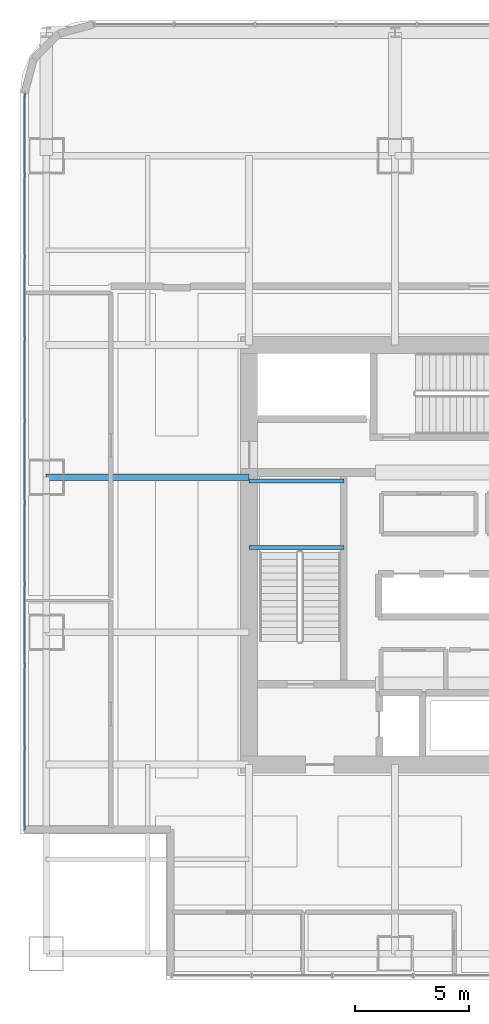
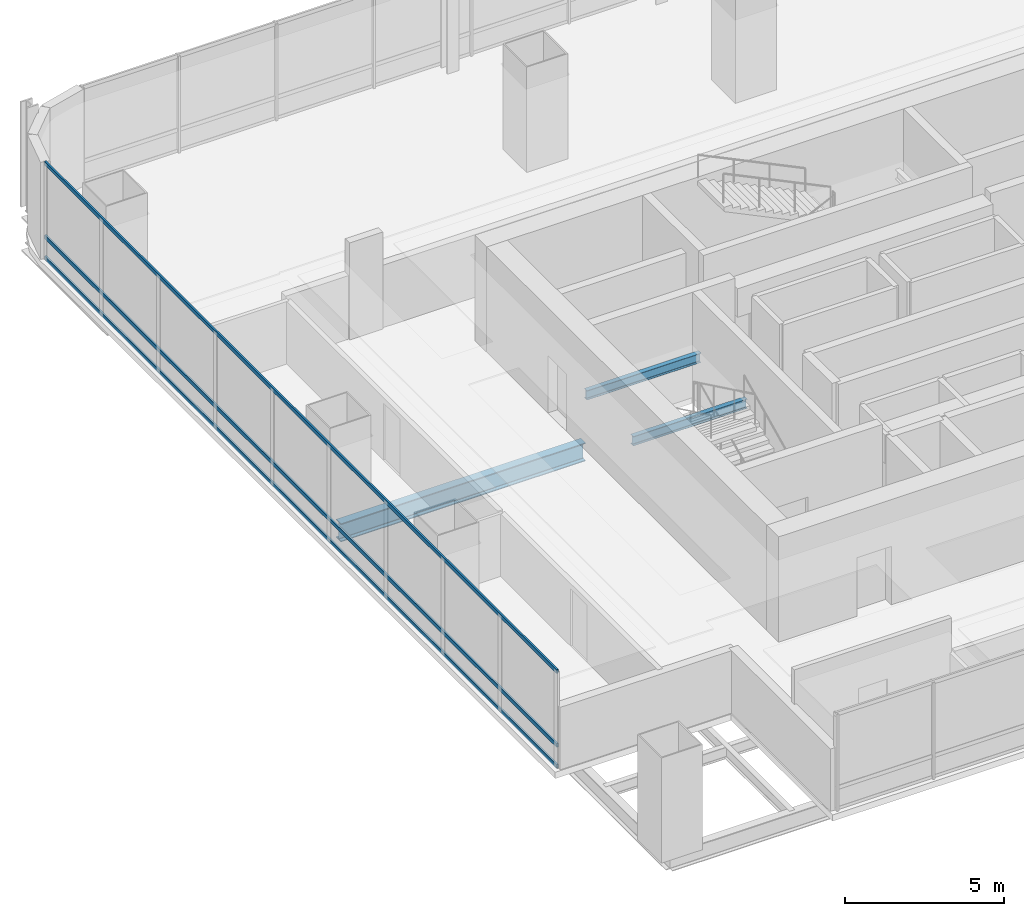
# One storey, part 10 of 33: 3 beams, 3 members, 1 element without a shape of its own.
"""IFC4 building model written with IfcOpenShell, lengths in metres."""

from ifc_helpers import new_model, si_unit, direction, frame, origin, origin_2d, place, context, subcontext, project, spatial, hollow_rectangle, i_section, extrude, material, material_profile, profile_set, type_object, element, aggregate, save


model = new_model("IFC4")

# Units and contexts
model_context = context("Model", 3, precision=1e-05, world=origin(), true_north=direction((0.0, 1.0)))
body_context = subcontext(model_context, "Body", "Model", "MODEL_VIEW")
ifc_project = project(units=[si_unit("LENGTHUNIT", "METRE"), si_unit("AREAUNIT", "SQUARE_METRE"), si_unit("VOLUMEUNIT", "CUBIC_METRE"), si_unit("PLANEANGLEUNIT", "RADIAN"), si_unit("MASSUNIT", "GRAM", prefix="KILO")], contexts=[model_context])

# Site, building, storey
site_placement = place(None, origin())
site = spatial("IfcSite", under=ifc_project, at=site_placement, CompositionType="ELEMENT")
building_placement = place(site_placement, origin())
building = spatial("IfcBuilding", under=site, at=building_placement, Name="Punatoya Terracotta Tower", CompositionType="ELEMENT")
storey_placement = place(building_placement, frame((0.0, 0.0, 121.35009765625)))
storey = spatial("IfcBuildingStorey", under=building, at=storey_placement, Name="L28", CompositionType="ELEMENT", Elevation=121.35009765625)

# Beams
ifc_material_1 = material(Name="Steel S355", Category="steel")
ifc_material_profile_1 = material_profile(ifc_material_1, i_section(OverallWidth=0.300048828125, OverallDepth=0.699951171875, WebThickness=0.01708984375, FlangeThickness=0.031982421875, FilletRadius=0.01806640625, at=origin_2d()))
ifc_profile_set_1 = profile_set([ifc_material_profile_1], Name="Steel S355")
beam_type_1 = type_object("IfcBeamType", Name="BM-PRI-700", PredefinedType="BEAM", material=ifc_profile_set_1)
beam_placement = place(storey_placement, frame((-19.10009765625, 3.39990234375, -0.590087890625), z_axis=(1.0, 0.0, 0.0), x_axis=(0.0, 1.0, 0.0)))
element("IfcBeam", 1, at=beam_placement, inside=storey, type_object=beam_type_1, Name="BM-L28-PR-WE", PredefinedType="BEAM", context=body_context, shape_type="SweptSolid", body=[
    extrude(i_section(OverallWidth=0.300048828125, OverallDepth=0.699951171875, WebThickness=0.01708984375, FlangeThickness=0.031982421875, FilletRadius=0.01806640625, at=origin_2d()), origin(), (0.0, 0.0, 1.0), 8.900146484375),
])
ifc_material_profile_2 = material_profile(ifc_material_1, i_section(OverallWidth=0.169921875, OverallDepth=0.360107421875, WebThickness=0.008056640625, FlangeThickness=0.0126953125, FilletRadius=0.01806640625, at=origin_2d()))
ifc_profile_set_2 = profile_set([ifc_material_profile_2], Name="Steel S355")
beam_type_2 = type_object("IfcBeamType", Name="BM-SEC-360", PredefinedType="JOIST", material=ifc_profile_set_2)
for number, where, z_axis, x_axis, name in (
    (2, (-10.199951171875, 0.320068359375, 1.64501953125), (1.0, 0.0, 0.0), (0.0, 1.0, 0.0), "BM-L28-ST-1-LD1A"),
    (3, (-10.199951171875, 3.22998046875, 1.64501953125), (1.0, 0.0, 0.0), (0.0, 1.0, 0.0), "BM-L28-ST-1-LD1B"),
):
    element("IfcBeam", number, at=place(storey_placement, frame(where, z_axis=z_axis, x_axis=x_axis)), inside=storey, type_object=beam_type_2, Name=name, PredefinedType="JOIST", context=body_context, shape_type="SweptSolid", body=[
        extrude(i_section(OverallWidth=0.169921875, OverallDepth=0.360107421875, WebThickness=0.008056640625, FlangeThickness=0.0126953125, FilletRadius=0.01806640625, at=origin_2d()), origin(), (0.0, 0.0, 1.0), 4.14990234375),
    ])

# Curtain wall, members
ifc_material_2 = material(Name="Aluminium 6063-T6 + Double Low-E Glass", Category="aluminium")
curtain_wall_type = type_object("IfcCurtainWallType", Name="CW-M1", PredefinedType="NOTDEFINED", material=ifc_material_2)
curtain_wall_placement = place(storey_placement, origin())
curtain_wall = element("IfcCurtainWall", 4, at=curtain_wall_placement, inside=storey, type_object=curtain_wall_type, Name="L28 Curtain Wall CW-L28-W12-1", PredefinedType="NOTDEFINED")
ifc_material_3 = material(Name="Aluminium 6063-T6", Category="aluminium")
ifc_material_profile_3 = material_profile(ifc_material_3, hollow_rectangle(XDim=0.068115234375, YDim=0.14990234375, WallThickness=0.00390625, at=origin_2d()))
ifc_profile_set_3 = profile_set([ifc_material_profile_3], Name="Aluminium 6063-T6")
member_type = type_object("IfcMemberType", Name="CW-TRN-TYP", PredefinedType="USERDEFINED", material=ifc_profile_set_3)
member_1_placement = place(storey_placement, frame((-20.050048828125, 20.23681640625, 0.039794921875), z_axis=(0.0, -1.0, 0.0), x_axis=(1.0, 0.0, 0.0)))
member_1 = element("IfcMember", 5, at=member_1_placement, type_object=member_type, Name="CW-L28-W12-1 Transom 1", ObjectType="TRANSOM", PredefinedType="USERDEFINED", context=body_context, shape_type="SweptSolid", body=[
    extrude(hollow_rectangle(XDim=0.068115234375, YDim=0.14990234375, WallThickness=0.00390625, at=origin_2d()), origin(), (0.0, 0.0, 1.0), 32.286865234375),
])
member_2_placement = place(storey_placement, frame((-20.050048828125, 20.23681640625, 0.849853515625), z_axis=(0.0, -1.0, 0.0), x_axis=(1.0, 0.0, 0.0)))
member_2 = element("IfcMember", 6, at=member_2_placement, type_object=member_type, Name="CW-L28-W12-1 Transom 2", ObjectType="TRANSOM", PredefinedType="USERDEFINED", context=body_context, shape_type="SweptSolid", body=[
    extrude(hollow_rectangle(XDim=0.068115234375, YDim=0.14990234375, WallThickness=0.00390625, at=origin_2d()), origin(), (0.0, 0.0, 1.0), 32.286865234375),
])
member_3_placement = place(storey_placement, frame((-20.050048828125, 20.23681640625, 3.68994140625), z_axis=(0.0, -1.0, 0.0), x_axis=(1.0, 0.0, 0.0)))
member_3 = element("IfcMember", 7, at=member_3_placement, type_object=member_type, Name="CW-L28-W12-1 Transom 3", ObjectType="TRANSOM", PredefinedType="USERDEFINED", context=body_context, shape_type="SweptSolid", body=[
    extrude(hollow_rectangle(XDim=0.068115234375, YDim=0.14990234375, WallThickness=0.00390625, at=origin_2d()), origin(), (0.0, 0.0, 1.0), 32.286865234375),
])
aggregate(curtain_wall, [member_1, member_2, member_3])

save(model, "model.ifc")
